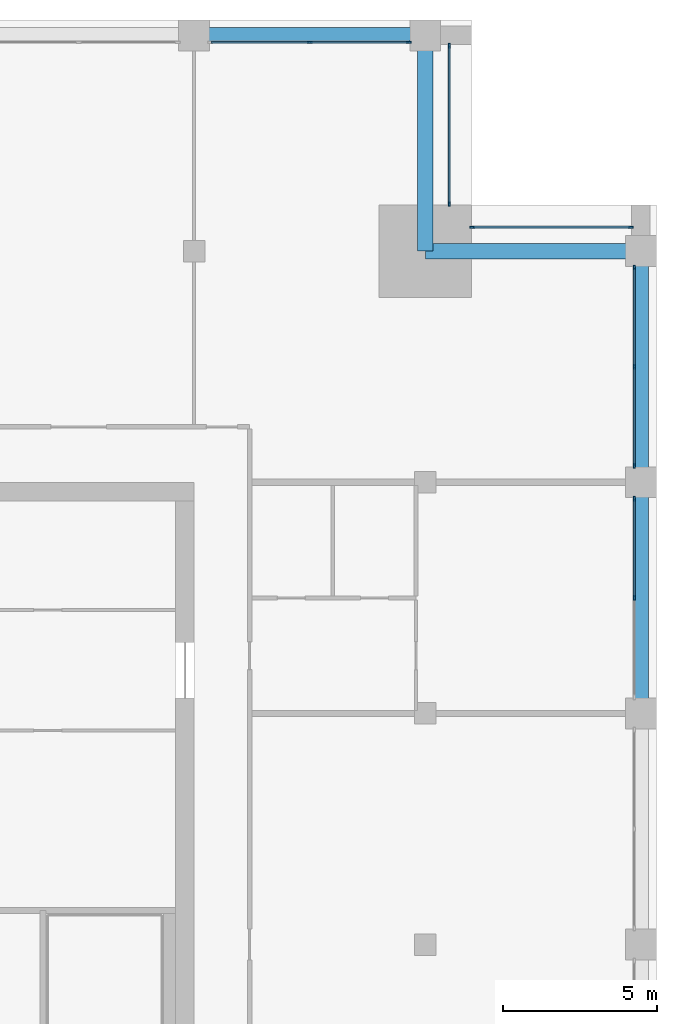
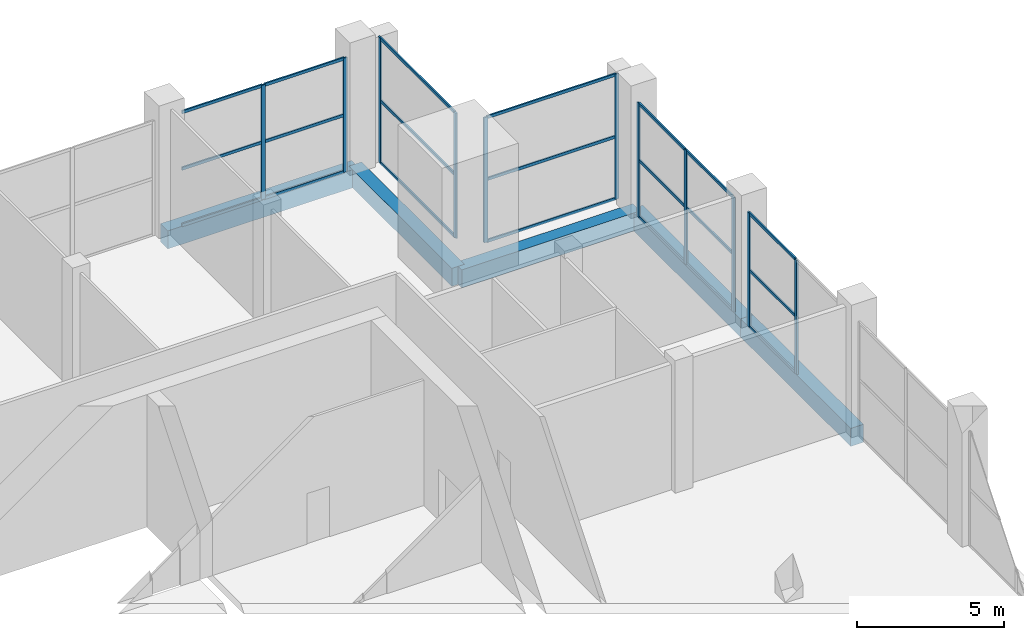
# One storey, part 6 of 15: 32 members, 5 beams, 5 elements without a shape of their own.
"""IFC4 building model written with IfcOpenShell, lengths in metres."""

from ifc_helpers import new_model, si_unit, direction, frame, origin, origin_2d, place, context, subcontext, project, spatial, rectangle, extrude, material, layer, layer_set, material_profile, profile_set, type_object, element, aggregate, save


model = new_model("IFC4")

# Units and contexts
model_context = context("Model", 3, precision=1e-05, world=origin(), true_north=direction((0.0, 1.0)))
body_context = subcontext(model_context, "Body", "Model", "MODEL_VIEW")
ifc_project = project(units=[si_unit("LENGTHUNIT", "METRE"), si_unit("AREAUNIT", "SQUARE_METRE"), si_unit("VOLUMEUNIT", "CUBIC_METRE"), si_unit("PLANEANGLEUNIT", "RADIAN"), si_unit("MASSUNIT", "GRAM", prefix="KILO")], contexts=[model_context])

# Site, building, storey
site_placement = place(None, origin())
site = spatial("IfcSite", under=ifc_project, at=site_placement, CompositionType="ELEMENT")
building_placement = place(site_placement, origin())
building = spatial("IfcBuilding", under=site, at=building_placement, Name="Tamorin Gate", CompositionType="ELEMENT")
storey_placement = place(building_placement, frame((0.0, 0.0, 292.199951171875)))
storey = spatial("IfcBuildingStorey", under=building, at=storey_placement, Name="L73", CompositionType="ELEMENT", Elevation=292.199951171875)

# Curtain wall, members
ifc_material_1 = material(Name="Aluminium mullions and transoms with clear glass", Category="aluminium")
ifc_layer = layer(ifc_material_1, 0.159912109375)
ifc_layer_set = layer_set([ifc_layer], Name="Curtain wall system CW3")
curtain_wall_type = type_object("IfcCurtainWallType", Name="Curtain wall system CW3", PredefinedType="NOTDEFINED", material=ifc_layer_set)
curtain_wall_1_placement = place(storey_placement, origin())
curtain_wall_1 = element("IfcCurtainWall", 1, at=curtain_wall_1_placement, inside=storey, type_object=curtain_wall_type, Name="Curtain wall", PredefinedType="NOTDEFINED")
ifc_material_2 = material(Name="Aluminium", Category="aluminium")
ifc_material_profile_1 = material_profile(ifc_material_2, rectangle(XDim=0.06005859375, YDim=0.159912109375, at=origin_2d()), Name="RECT 60x160")
ifc_profile_set_1 = profile_set([ifc_material_profile_1], Name="Aluminium")
member_type_1 = type_object("IfcMemberType", Name="Aluminium mullion 60x160", PredefinedType="MULLION", material=ifc_profile_set_1)
member_1_placement = place(storey_placement, frame((74.280029296875, 78.75, 0.0), z_axis=(0.0, 0.0, 1.0), x_axis=(-1.0, 0.0, 0.0)))
member_1 = element("IfcMember", 2, at=member_1_placement, type_object=member_type_1, Name="CW3 mullion 2", PredefinedType="MULLION", context=body_context, shape_type="SweptSolid", body=[
    extrude(rectangle(XDim=0.06005859375, YDim=0.159912109375, at=origin_2d()), origin(), (0.0, 0.0, 1.0), 4.75),
])
member_2_placement = place(storey_placement, frame((74.280029296875, 81.969970703125, 0.0), z_axis=(0.0, 0.0, 1.0), x_axis=(-1.0, 0.0, 0.0)))
member_2 = element("IfcMember", 3, at=member_2_placement, type_object=member_type_1, Name="CW3 mullion 3", PredefinedType="MULLION", context=body_context, shape_type="SweptSolid", body=[
    extrude(rectangle(XDim=0.06005859375, YDim=0.159912109375, at=origin_2d()), origin(), (0.0, 0.0, 1.0), 4.75),
])

curtain_wall_2_placement = place(storey_placement, origin())
curtain_wall_2 = element("IfcCurtainWall", 4, at=curtain_wall_2_placement, inside=storey, type_object=curtain_wall_type, Name="Curtain wall", PredefinedType="NOTDEFINED")
member_3_placement = place(storey_placement, frame((74.280029296875, 83.030029296875, 0.0), z_axis=(0.0, 0.0, 1.0), x_axis=(-1.0, 0.0, 0.0)))
member_3 = element("IfcMember", 5, at=member_3_placement, type_object=member_type_1, Name="CW3 mullion 1", PredefinedType="MULLION", context=body_context, shape_type="SweptSolid", body=[
    extrude(rectangle(XDim=0.06005859375, YDim=0.159912109375, at=origin_2d()), origin(), (0.0, 0.0, 1.0), 4.75),
])
member_4_placement = place(storey_placement, frame((74.280029296875, 86.25, 0.0), z_axis=(0.0, 0.0, 1.0), x_axis=(-1.0, 0.0, 0.0)))
member_4 = element("IfcMember", 6, at=member_4_placement, type_object=member_type_1, Name="CW3 mullion 2", PredefinedType="MULLION", context=body_context, shape_type="SweptSolid", body=[
    extrude(rectangle(XDim=0.06005859375, YDim=0.159912109375, at=origin_2d()), origin(), (0.0, 0.0, 1.0), 4.75),
])
member_5_placement = place(storey_placement, frame((74.280029296875, 89.469970703125, 0.0), z_axis=(0.0, 0.0, 1.0), x_axis=(-1.0, 0.0, 0.0)))
member_5 = element("IfcMember", 7, at=member_5_placement, type_object=member_type_1, Name="CW3 mullion 3", PredefinedType="MULLION", context=body_context, shape_type="SweptSolid", body=[
    extrude(rectangle(XDim=0.06005859375, YDim=0.159912109375, at=origin_2d()), origin(), (0.0, 0.0, 1.0), 4.75),
])

curtain_wall_3_placement = place(storey_placement, origin())
curtain_wall_3 = element("IfcCurtainWall", 8, at=curtain_wall_3_placement, inside=storey, type_object=curtain_wall_type, Name="Curtain wall", PredefinedType="NOTDEFINED")
member_6_placement = place(storey_placement, frame((74.169921875, 90.780029296875, 0.0), z_axis=(0.0, 0.0, 1.0), x_axis=(0.0, -1.0, 0.0)))
member_6 = element("IfcMember", 9, at=member_6_placement, type_object=member_type_1, Name="CW3 mullion 1", PredefinedType="MULLION", context=body_context, shape_type="SweptSolid", body=[
    extrude(rectangle(XDim=0.06005859375, YDim=0.159912109375, at=origin_2d()), origin(), (0.0, 0.0, 1.0), 5.199951171875),
])
member_7_placement = place(storey_placement, frame((69.030029296875, 90.780029296875, 0.0), z_axis=(0.0, 0.0, 1.0), x_axis=(0.0, -1.0, 0.0)))
member_7 = element("IfcMember", 10, at=member_7_placement, type_object=member_type_1, Name="CW3 mullion 2", PredefinedType="MULLION", context=body_context, shape_type="SweptSolid", body=[
    extrude(rectangle(XDim=0.06005859375, YDim=0.159912109375, at=origin_2d()), origin(), (0.0, 0.0, 1.0), 5.199951171875),
])

curtain_wall_4_placement = place(storey_placement, origin())
curtain_wall_4 = element("IfcCurtainWall", 11, at=curtain_wall_4_placement, inside=storey, type_object=curtain_wall_type, Name="Curtain wall", PredefinedType="NOTDEFINED")
member_8_placement = place(storey_placement, frame((68.280029296875, 91.530029296875, 0.0), z_axis=(0.0, 0.0, 1.0), x_axis=(-1.0, 0.0, 0.0)))
member_8 = element("IfcMember", 12, at=member_8_placement, type_object=member_type_1, Name="CW3 mullion 1", PredefinedType="MULLION", context=body_context, shape_type="SweptSolid", body=[
    extrude(rectangle(XDim=0.06005859375, YDim=0.159912109375, at=origin_2d()), origin(), (0.0, 0.0, 1.0), 5.199951171875),
])
member_9_placement = place(storey_placement, frame((68.280029296875, 96.669921875, 0.0), z_axis=(0.0, 0.0, 1.0), x_axis=(-1.0, 0.0, 0.0)))
member_9 = element("IfcMember", 13, at=member_9_placement, type_object=member_type_1, Name="CW3 mullion 2", PredefinedType="MULLION", context=body_context, shape_type="SweptSolid", body=[
    extrude(rectangle(XDim=0.06005859375, YDim=0.159912109375, at=origin_2d()), origin(), (0.0, 0.0, 1.0), 5.199951171875),
])

curtain_wall_5_placement = place(storey_placement, origin())
curtain_wall_5 = element("IfcCurtainWall", 14, at=curtain_wall_5_placement, inside=storey, type_object=curtain_wall_type, Name="Curtain wall", PredefinedType="NOTDEFINED")
member_10_placement = place(storey_placement, frame((66.969970703125, 96.780029296875, 0.0), z_axis=(0.0, 0.0, 1.0), x_axis=(0.0, -1.0, 0.0)))
member_10 = element("IfcMember", 15, at=member_10_placement, type_object=member_type_1, Name="CW3 mullion 1", PredefinedType="MULLION", context=body_context, shape_type="SweptSolid", body=[
    extrude(rectangle(XDim=0.06005859375, YDim=0.159912109375, at=origin_2d()), origin(), (0.0, 0.0, 1.0), 4.75),
])
member_11_placement = place(storey_placement, frame((63.75, 96.780029296875, 0.0), z_axis=(0.0, 0.0, 1.0), x_axis=(0.0, -1.0, 0.0)))
member_11 = element("IfcMember", 16, at=member_11_placement, type_object=member_type_1, Name="CW3 mullion 2", PredefinedType="MULLION", context=body_context, shape_type="SweptSolid", body=[
    extrude(rectangle(XDim=0.06005859375, YDim=0.159912109375, at=origin_2d()), origin(), (0.0, 0.0, 1.0), 4.75),
])

# Member
ifc_material_profile_2 = material_profile(ifc_material_2, rectangle(XDim=0.06005859375, YDim=0.1201171875, at=origin_2d()), Name="RECT 60x120")
ifc_profile_set_2 = profile_set([ifc_material_profile_2], Name="Aluminium")
member_type_2 = type_object("IfcMemberType", Name="Aluminium transom 60x120", PredefinedType="USERDEFINED", material=ifc_profile_set_2)
member_12_placement = place(storey_placement, frame((74.280029296875, 78.780029296875, 0.030029296875), z_axis=(0.0, 1.0, 0.0), x_axis=(-1.0, 0.0, 0.0)))
member_12 = element("IfcMember", 17, at=member_12_placement, type_object=member_type_2, Name="CW3 transom 2.1", ObjectType="TRANSOM", PredefinedType="USERDEFINED", context=body_context, shape_type="SweptSolid", body=[
    extrude(rectangle(XDim=0.06005859375, YDim=0.1201171875, at=origin_2d()), origin(), (0.0, 0.0, 1.0), 3.159912109375),
])

member_13_placement = place(storey_placement, frame((74.280029296875, 78.780029296875, 2.375), z_axis=(0.0, 1.0, 0.0), x_axis=(-1.0, 0.0, 0.0)))
member_13 = element("IfcMember", 18, at=member_13_placement, type_object=member_type_2, Name="CW3 transom 2.2", ObjectType="TRANSOM", PredefinedType="USERDEFINED", context=body_context, shape_type="SweptSolid", body=[
    extrude(rectangle(XDim=0.06005859375, YDim=0.1201171875, at=origin_2d()), origin(), (0.0, 0.0, 1.0), 3.159912109375),
])

member_14_placement = place(storey_placement, frame((74.280029296875, 78.780029296875, 4.719970703125), z_axis=(0.0, 1.0, 0.0), x_axis=(-1.0, 0.0, 0.0)))
member_14 = element("IfcMember", 19, at=member_14_placement, type_object=member_type_2, Name="CW3 transom 2.3", ObjectType="TRANSOM", PredefinedType="USERDEFINED", context=body_context, shape_type="SweptSolid", body=[
    extrude(rectangle(XDim=0.06005859375, YDim=0.1201171875, at=origin_2d()), origin(), (0.0, 0.0, 1.0), 3.159912109375),
])

aggregate(curtain_wall_1, [member_1, member_2, member_12, member_13, member_14])

member_15_placement = place(storey_placement, frame((74.280029296875, 83.06005859375, 0.030029296875), z_axis=(0.0, 1.0, 0.0), x_axis=(-1.0, 0.0, 0.0)))
member_15 = element("IfcMember", 20, at=member_15_placement, type_object=member_type_2, Name="CW3 transom 1.1", ObjectType="TRANSOM", PredefinedType="USERDEFINED", context=body_context, shape_type="SweptSolid", body=[
    extrude(rectangle(XDim=0.06005859375, YDim=0.1201171875, at=origin_2d()), origin(), (0.0, 0.0, 1.0), 3.159912109375),
])

member_16_placement = place(storey_placement, frame((74.280029296875, 83.06005859375, 2.375), z_axis=(0.0, 1.0, 0.0), x_axis=(-1.0, 0.0, 0.0)))
member_16 = element("IfcMember", 21, at=member_16_placement, type_object=member_type_2, Name="CW3 transom 1.2", ObjectType="TRANSOM", PredefinedType="USERDEFINED", context=body_context, shape_type="SweptSolid", body=[
    extrude(rectangle(XDim=0.06005859375, YDim=0.1201171875, at=origin_2d()), origin(), (0.0, 0.0, 1.0), 3.159912109375),
])

member_17_placement = place(storey_placement, frame((74.280029296875, 83.06005859375, 4.719970703125), z_axis=(0.0, 1.0, 0.0), x_axis=(-1.0, 0.0, 0.0)))
member_17 = element("IfcMember", 22, at=member_17_placement, type_object=member_type_2, Name="CW3 transom 1.3", ObjectType="TRANSOM", PredefinedType="USERDEFINED", context=body_context, shape_type="SweptSolid", body=[
    extrude(rectangle(XDim=0.06005859375, YDim=0.1201171875, at=origin_2d()), origin(), (0.0, 0.0, 1.0), 3.159912109375),
])

member_18_placement = place(storey_placement, frame((74.280029296875, 86.280029296875, 0.030029296875), z_axis=(0.0, 1.0, 0.0), x_axis=(-1.0, 0.0, 0.0)))
member_18 = element("IfcMember", 23, at=member_18_placement, type_object=member_type_2, Name="CW3 transom 2.1", ObjectType="TRANSOM", PredefinedType="USERDEFINED", context=body_context, shape_type="SweptSolid", body=[
    extrude(rectangle(XDim=0.06005859375, YDim=0.1201171875, at=origin_2d()), origin(), (0.0, 0.0, 1.0), 3.159912109375),
])

member_19_placement = place(storey_placement, frame((74.280029296875, 86.280029296875, 2.375), z_axis=(0.0, 1.0, 0.0), x_axis=(-1.0, 0.0, 0.0)))
member_19 = element("IfcMember", 24, at=member_19_placement, type_object=member_type_2, Name="CW3 transom 2.2", ObjectType="TRANSOM", PredefinedType="USERDEFINED", context=body_context, shape_type="SweptSolid", body=[
    extrude(rectangle(XDim=0.06005859375, YDim=0.1201171875, at=origin_2d()), origin(), (0.0, 0.0, 1.0), 3.159912109375),
])

member_20_placement = place(storey_placement, frame((74.280029296875, 86.280029296875, 4.719970703125), z_axis=(0.0, 1.0, 0.0), x_axis=(-1.0, 0.0, 0.0)))
member_20 = element("IfcMember", 25, at=member_20_placement, type_object=member_type_2, Name="CW3 transom 2.3", ObjectType="TRANSOM", PredefinedType="USERDEFINED", context=body_context, shape_type="SweptSolid", body=[
    extrude(rectangle(XDim=0.06005859375, YDim=0.1201171875, at=origin_2d()), origin(), (0.0, 0.0, 1.0), 3.159912109375),
])

aggregate(curtain_wall_2, [member_3, member_4, member_5, member_15, member_16, member_17, member_18, member_19, member_20])

member_21_placement = place(storey_placement, frame((74.139892578125, 90.780029296875, 0.030029296875), z_axis=(-1.0, 0.0, 0.0), x_axis=(0.0, -1.0, 0.0)))
member_21 = element("IfcMember", 26, at=member_21_placement, type_object=member_type_2, Name="CW3 transom 1.1", ObjectType="TRANSOM", PredefinedType="USERDEFINED", context=body_context, shape_type="SweptSolid", body=[
    extrude(rectangle(XDim=0.06005859375, YDim=0.1201171875, at=origin_2d()), origin(), (0.0, 0.0, 1.0), 5.079833984375),
])

member_22_placement = place(storey_placement, frame((74.139892578125, 90.780029296875, 2.60009765625), z_axis=(-1.0, 0.0, 0.0), x_axis=(0.0, -1.0, 0.0)))
member_22 = element("IfcMember", 27, at=member_22_placement, type_object=member_type_2, Name="CW3 transom 1.2", ObjectType="TRANSOM", PredefinedType="USERDEFINED", context=body_context, shape_type="SweptSolid", body=[
    extrude(rectangle(XDim=0.06005859375, YDim=0.1201171875, at=origin_2d()), origin(), (0.0, 0.0, 1.0), 5.079833984375),
])

member_23_placement = place(storey_placement, frame((74.139892578125, 90.780029296875, 5.170166015625), z_axis=(-1.0, 0.0, 0.0), x_axis=(0.0, -1.0, 0.0)))
member_23 = element("IfcMember", 28, at=member_23_placement, type_object=member_type_2, Name="CW3 transom 1.3", ObjectType="TRANSOM", PredefinedType="USERDEFINED", context=body_context, shape_type="SweptSolid", body=[
    extrude(rectangle(XDim=0.06005859375, YDim=0.1201171875, at=origin_2d()), origin(), (0.0, 0.0, 1.0), 5.079833984375),
])

aggregate(curtain_wall_3, [member_6, member_7, member_21, member_22, member_23])

member_24_placement = place(storey_placement, frame((68.280029296875, 91.56005859375, 0.030029296875), z_axis=(0.0, 1.0, 0.0), x_axis=(-1.0, 0.0, 0.0)))
member_24 = element("IfcMember", 29, at=member_24_placement, type_object=member_type_2, Name="CW3 transom 1.1", ObjectType="TRANSOM", PredefinedType="USERDEFINED", context=body_context, shape_type="SweptSolid", body=[
    extrude(rectangle(XDim=0.06005859375, YDim=0.1201171875, at=origin_2d()), origin(), (0.0, 0.0, 1.0), 5.079833984375),
])

member_25_placement = place(storey_placement, frame((68.280029296875, 91.56005859375, 2.60009765625), z_axis=(0.0, 1.0, 0.0), x_axis=(-1.0, 0.0, 0.0)))
member_25 = element("IfcMember", 30, at=member_25_placement, type_object=member_type_2, Name="CW3 transom 1.2", ObjectType="TRANSOM", PredefinedType="USERDEFINED", context=body_context, shape_type="SweptSolid", body=[
    extrude(rectangle(XDim=0.06005859375, YDim=0.1201171875, at=origin_2d()), origin(), (0.0, 0.0, 1.0), 5.079833984375),
])

member_26_placement = place(storey_placement, frame((68.280029296875, 91.56005859375, 5.170166015625), z_axis=(0.0, 1.0, 0.0), x_axis=(-1.0, 0.0, 0.0)))
member_26 = element("IfcMember", 31, at=member_26_placement, type_object=member_type_2, Name="CW3 transom 1.3", ObjectType="TRANSOM", PredefinedType="USERDEFINED", context=body_context, shape_type="SweptSolid", body=[
    extrude(rectangle(XDim=0.06005859375, YDim=0.1201171875, at=origin_2d()), origin(), (0.0, 0.0, 1.0), 5.079833984375),
])

aggregate(curtain_wall_4, [member_8, member_9, member_24, member_25, member_26])

member_27_placement = place(storey_placement, frame((66.93994140625, 96.780029296875, 0.030029296875), z_axis=(-1.0, 0.0, 0.0), x_axis=(0.0, -1.0, 0.0)))
member_27 = element("IfcMember", 32, at=member_27_placement, type_object=member_type_2, Name="CW3 transom 1.1", ObjectType="TRANSOM", PredefinedType="USERDEFINED", context=body_context, shape_type="SweptSolid", body=[
    extrude(rectangle(XDim=0.06005859375, YDim=0.1201171875, at=origin_2d()), origin(), (0.0, 0.0, 1.0), 3.159912109375),
])

member_28_placement = place(storey_placement, frame((66.93994140625, 96.780029296875, 2.375), z_axis=(-1.0, 0.0, 0.0), x_axis=(0.0, -1.0, 0.0)))
member_28 = element("IfcMember", 33, at=member_28_placement, type_object=member_type_2, Name="CW3 transom 1.2", ObjectType="TRANSOM", PredefinedType="USERDEFINED", context=body_context, shape_type="SweptSolid", body=[
    extrude(rectangle(XDim=0.06005859375, YDim=0.1201171875, at=origin_2d()), origin(), (0.0, 0.0, 1.0), 3.159912109375),
])

member_29_placement = place(storey_placement, frame((66.93994140625, 96.780029296875, 4.719970703125), z_axis=(-1.0, 0.0, 0.0), x_axis=(0.0, -1.0, 0.0)))
member_29 = element("IfcMember", 34, at=member_29_placement, type_object=member_type_2, Name="CW3 transom 1.3", ObjectType="TRANSOM", PredefinedType="USERDEFINED", context=body_context, shape_type="SweptSolid", body=[
    extrude(rectangle(XDim=0.06005859375, YDim=0.1201171875, at=origin_2d()), origin(), (0.0, 0.0, 1.0), 3.159912109375),
])

member_30_placement = place(storey_placement, frame((63.719970703125, 96.780029296875, 0.030029296875), z_axis=(-1.0, 0.0, 0.0), x_axis=(0.0, -1.0, 0.0)))
member_30 = element("IfcMember", 35, at=member_30_placement, type_object=member_type_2, Name="CW3 transom 2.1", ObjectType="TRANSOM", PredefinedType="USERDEFINED", context=body_context, shape_type="SweptSolid", body=[
    extrude(rectangle(XDim=0.06005859375, YDim=0.1201171875, at=origin_2d()), origin(), (0.0, 0.0, 1.0), 3.159912109375),
])

member_31_placement = place(storey_placement, frame((63.719970703125, 96.780029296875, 2.375), z_axis=(-1.0, 0.0, 0.0), x_axis=(0.0, -1.0, 0.0)))
member_31 = element("IfcMember", 36, at=member_31_placement, type_object=member_type_2, Name="CW3 transom 2.2", ObjectType="TRANSOM", PredefinedType="USERDEFINED", context=body_context, shape_type="SweptSolid", body=[
    extrude(rectangle(XDim=0.06005859375, YDim=0.1201171875, at=origin_2d()), origin(), (0.0, 0.0, 1.0), 3.159912109375),
])

member_32_placement = place(storey_placement, frame((63.719970703125, 96.780029296875, 4.719970703125), z_axis=(-1.0, 0.0, 0.0), x_axis=(0.0, -1.0, 0.0)))
member_32 = element("IfcMember", 37, at=member_32_placement, type_object=member_type_2, Name="CW3 transom 2.3", ObjectType="TRANSOM", PredefinedType="USERDEFINED", context=body_context, shape_type="SweptSolid", body=[
    extrude(rectangle(XDim=0.06005859375, YDim=0.1201171875, at=origin_2d()), origin(), (0.0, 0.0, 1.0), 3.159912109375),
])

aggregate(curtain_wall_5, [member_10, member_11, member_27, member_28, member_29, member_30, member_31, member_32])

# Beams
ifc_material_3 = material(Name="Concrete C50/60", Category="concrete")
ifc_material_profile_3 = material_profile(ifc_material_3, rectangle(XDim=0.5, YDim=0.75, at=origin_2d()), Name="RC 500x750")
ifc_profile_set_3 = profile_set([ifc_material_profile_3], Name="Concrete C50/60")
beam_type = type_object("IfcBeamType", Name="RC spandrel 500x750 C50/60", PredefinedType="BEAM", material=ifc_profile_set_3)
for number, where, z_axis, x_axis, name in (
    (38, (74.5, 75.0, -0.375), (0.0, 1.0, 0.0), (-1.0, 0.0, 0.0), "Spandrel beam L73"),
    (39, (74.5, 82.5, -0.375), (0.0, 1.0, 0.0), (-1.0, 0.0, 0.0), "Spandrel beam L73"),
    (40, (67.5, 97.0, -0.375), (-1.0, 0.0, 0.0), (0.0, -1.0, 0.0), "Spandrel beam L73"),
):
    element("IfcBeam", number, at=place(storey_placement, frame(where, z_axis=z_axis, x_axis=x_axis)), inside=storey, type_object=beam_type, Name=name, PredefinedType="BEAM", context=body_context, shape_type="SweptSolid", body=[
        extrude(rectangle(XDim=0.5, YDim=0.75, at=origin_2d()), origin(), (0.0, 0.0, 1.0), 7.5),
    ])
for number, where, z_axis, x_axis, name in (
    (41, (67.5, 90.0, -0.375), (0.0, 1.0, 0.0), (-1.0, 0.0, 0.0), "Corner tie beam L73"),
    (42, (67.5, 90.0, -0.375), (1.0, 0.0, 0.0), (0.0, 1.0, 0.0), "Corner tie beam L73"),
):
    element("IfcBeam", number, at=place(storey_placement, frame(where, z_axis=z_axis, x_axis=x_axis)), inside=storey, type_object=beam_type, Name=name, PredefinedType="BEAM", context=body_context, shape_type="SweptSolid", body=[
        extrude(rectangle(XDim=0.5, YDim=0.75, at=origin_2d()), origin(), (0.0, 0.0, 1.0), 7.0),
    ])

save(model, "model.ifc")
